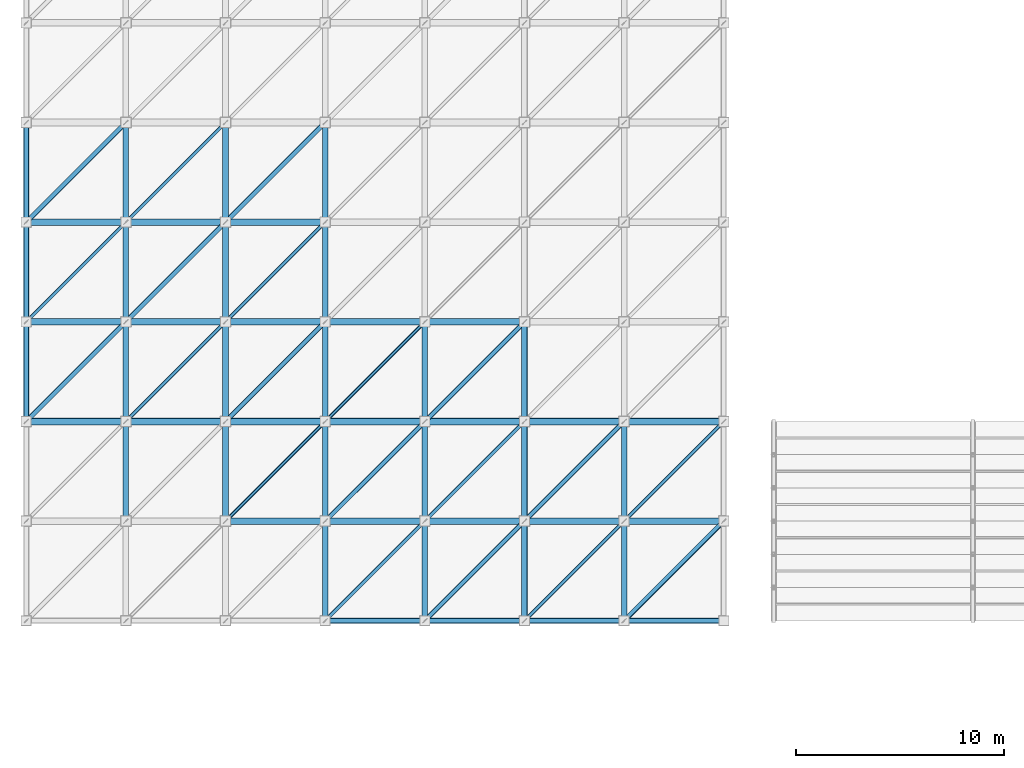
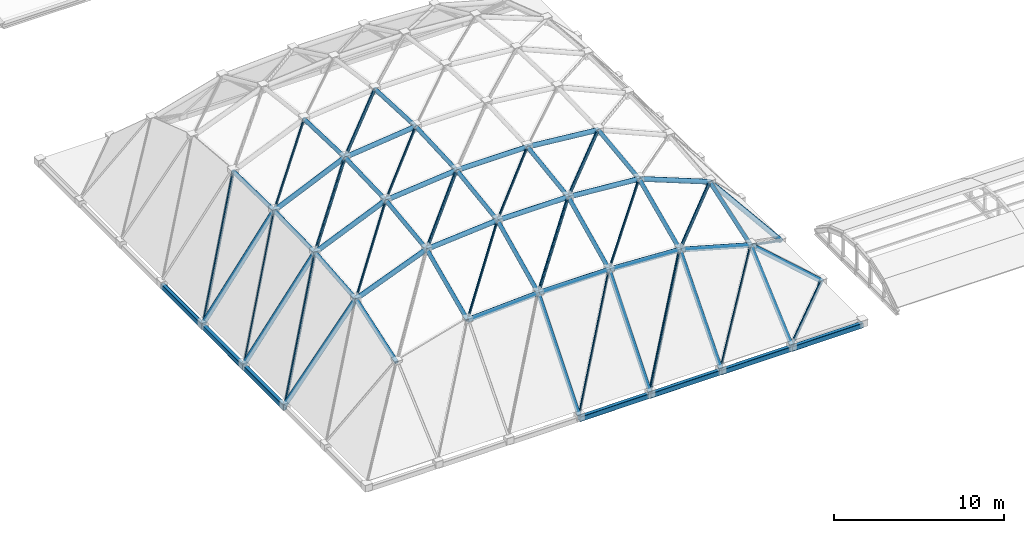
# One storey, part 2 of 70: 61 members, 7 beams.
"""IFC4 building model written with IfcOpenShell, lengths in metres."""

from ifc_helpers import new_model, si_unit, direction, frame, origin, origin_2d, place, context, subcontext, project, spatial, hollow_rectangle, hollow_circle, extrude, material, material_profile, profile_set, type_object, element, save


model = new_model("IFC4")

# Units and contexts
model_context = context("Model", 3, precision=1e-05, world=origin(), true_north=direction((0.0, 1.0)))
body_context = subcontext(model_context, "Body", "Model", "MODEL_VIEW")
ifc_project = project(units=[si_unit("LENGTHUNIT", "METRE"), si_unit("AREAUNIT", "SQUARE_METRE"), si_unit("VOLUMEUNIT", "CUBIC_METRE"), si_unit("PLANEANGLEUNIT", "RADIAN"), si_unit("MASSUNIT", "GRAM", prefix="KILO")], contexts=[model_context])

# Site, building, storey
site_placement = place(None, origin())
site = spatial("IfcSite", under=ifc_project, at=site_placement, CompositionType="ELEMENT")
building_placement = place(site_placement, origin())
building = spatial("IfcBuilding", under=site, at=building_placement, Name="Mavantir Sound Aquarium", CompositionType="ELEMENT")
storey_placement = place(building_placement, frame((0.0, 0.0, 27.0)))
storey = spatial("IfcBuildingStorey", under=building, at=storey_placement, Name="RF", CompositionType="ELEMENT", Elevation=27.0)

# Beams
ifc_material = material(Name="Hollow Structural Steel ASTM A500 GrC", Category="steel")
ifc_material_profile_1 = material_profile(ifc_material, hollow_rectangle(XDim=0.25, YDim=0.35009765625, WallThickness=0.012451171875, InnerFilletRadius=0.012451171875, OuterFilletRadius=0.02490234375, at=origin_2d()), Name="RHS 350X250X12.5")
ifc_profile_set_1 = profile_set([ifc_material_profile_1], Name="Hollow Structural Steel ASTM A500 GrC")
beam_type = type_object("IfcBeamType", Name="BM-RB-RHS350-E", PredefinedType="BEAM", material=ifc_profile_set_1)
for number, where, z_axis, x_axis, name in (
    (1, (14.39990234375, 40.800048828125, -7.419921875), (0.999991302772, 0.0, 0.004170656977), (0.0, 1.0, 0.0), "Gridshell perimeter ring beam RB-02 7"),
    (2, (19.199951171875, 40.800048828125, -7.419921875), (0.999991302772, 0.0, 0.004170656977), (0.0, 1.0, 0.0), "Gridshell perimeter ring beam RB-02 9"),
    (3, (24.0, 40.800048828125, -7.419921875), (0.999991302772, 0.0, 0.004170656977), (0.0, 1.0, 0.0), "Gridshell perimeter ring beam RB-02 11"),
    (4, (28.800048828125, 40.800048828125, -7.419921875), (0.999991302772, 0.0, 0.004170656977), (0.0, 1.0, 0.0), "Gridshell perimeter ring beam RB-02 13"),
    (5, (0.0, 50.39990234375, -7.419921875), (0.0, 0.999991302772, 0.004170656977), (-1.0, 0.0, 0.0), "Gridshell perimeter ring beam RB-02 19"),
    (6, (0.0, 55.199951171875, -7.419921875), (0.0, 0.999991302772, 0.004170656977), (-1.0, 0.0, 0.0), "Gridshell perimeter ring beam RB-02 21"),
    (7, (0.0, 60.0, -7.419921875), (0.0, 0.999991302772, 0.004170656977), (-1.0, 0.0, 0.0), "Gridshell perimeter ring beam RB-02 23"),
):
    element("IfcBeam", number, at=place(storey_placement, frame(where, z_axis=z_axis, x_axis=x_axis)), inside=storey, type_object=beam_type, Name=name, PredefinedType="BEAM", context=body_context, shape_type="SweptSolid", body=[
        extrude(hollow_rectangle(XDim=0.25, YDim=0.35009765625, WallThickness=0.012451171875, InnerFilletRadius=0.012451171875, OuterFilletRadius=0.02490234375, at=origin_2d()), origin(), (0.0, 0.0, 1.0), 4.800048828125),
    ])

# Members
ifc_material_profile_2 = material_profile(ifc_material, hollow_circle(Radius=0.084228515625, WallThickness=0.008056640625, at=origin_2d()), Name="CHS 168.3X8")
ifc_profile_set_2 = profile_set([ifc_material_profile_2], Name="Hollow Structural Steel ASTM A500 GrC")
member_type_1 = type_object("IfcMemberType", Name="MEM-GS-CH168", PredefinedType="BRACE", material=ifc_profile_set_2)
member_1_placement = place(storey_placement, frame((0.0, 55.199951171875, -7.199951171875), z_axis=(0.514631230673, 0.514631230673, 0.685791070832), x_axis=(-0.707106781187, 0.707106781187, 0.0)))
element("IfcMember", 8, at=member_1_placement, inside=storey, type_object=member_type_1, Name="Gridshell diagonal brace 4", PredefinedType="BRACE", context=body_context, shape_type="SweptSolid", body=[
    extrude(hollow_circle(Radius=0.084228515625, WallThickness=0.008056640625, at=origin_2d()), origin(), (0.0, 0.0, 1.0), 9.3271484375),
])
member_2_placement = place(storey_placement, frame((4.800048828125, 50.39990234375, -1.315673828125), z_axis=(0.663855806907, 0.663855806907, 0.344370346099), x_axis=(-0.707106781187, 0.707106781187, 0.0)))
element("IfcMember", 9, at=member_2_placement, inside=storey, type_object=member_type_1, Name="Gridshell diagonal brace 11", PredefinedType="BRACE", context=body_context, shape_type="SweptSolid", body=[
    extrude(hollow_circle(Radius=0.084228515625, WallThickness=0.008056640625, at=origin_2d()), origin(), (0.0, 0.0, 1.0), 7.23046875),
])
member_3_placement = place(storey_placement, frame((4.800048828125, 60.0, -0.803466796875), z_axis=(0.678879899321, 0.678879899321, 0.27972158407), x_axis=(-0.707106781187, 0.707106781187, 0.0)))
element("IfcMember", 10, at=member_3_placement, inside=storey, type_object=member_type_1, Name="Gridshell diagonal brace 13", PredefinedType="BRACE", context=body_context, shape_type="SweptSolid", body=[
    extrude(hollow_circle(Radius=0.084228515625, WallThickness=0.008056640625, at=origin_2d()), origin(), (0.0, 0.0, 1.0), 7.070556640625),
])
member_4_placement = place(storey_placement, frame((9.60009765625, 45.60009765625, -1.589111328125), z_axis=(0.661851900266, 0.661851900266, 0.352000176459), x_axis=(-0.707106781187, 0.707106781187, 0.0)))
element("IfcMember", 11, at=member_4_placement, inside=storey, type_object=member_type_1, Name="Gridshell diagonal brace 18", PredefinedType="BRACE", context=body_context, shape_type="SweptSolid", body=[
    extrude(hollow_circle(Radius=0.084228515625, WallThickness=0.008056640625, at=origin_2d()), origin(), (0.0, 0.0, 1.0), 7.252197265625),
])
member_5_placement = place(storey_placement, frame((9.60009765625, 55.199951171875, 1.17431640625), z_axis=(0.70342625465, 0.703462034215, 0.10164974514), x_axis=(-0.707124763888, 0.707088798028, 0.0)))
element("IfcMember", 12, at=member_5_placement, inside=storey, type_object=member_type_1, Name="Gridshell diagonal brace 20", PredefinedType="BRACE", context=body_context, shape_type="SweptSolid", body=[
    extrude(hollow_circle(Radius=0.084228515625, WallThickness=0.008056640625, at=origin_2d()), origin(), (0.0, 0.0, 1.0), 6.823486328125),
])
member_6_placement = place(storey_placement, frame((14.39990234375, 40.800048828125, -7.199951171875), z_axis=(0.535090722086, 0.535090722086, 0.653724589009), x_axis=(-0.707106781187, 0.707106781187, 0.0)))
element("IfcMember", 13, at=member_6_placement, inside=storey, type_object=member_type_1, Name="Gridshell diagonal brace 25", PredefinedType="BRACE", context=body_context, shape_type="SweptSolid", body=[
    extrude(hollow_circle(Radius=0.084228515625, WallThickness=0.008056640625, at=origin_2d()), origin(), (0.0, 0.0, 1.0), 8.970458984375),
])
member_7_placement = place(storey_placement, frame((14.39990234375, 50.39990234375, 0.963623046875), z_axis=(0.703596255032, 0.703596255032, 0.099521956424), x_axis=(-0.707106781187, 0.707106781187, 0.0)))
element("IfcMember", 14, at=member_7_placement, inside=storey, type_object=member_type_1, Name="Gridshell diagonal brace 27", PredefinedType="BRACE", context=body_context, shape_type="SweptSolid", body=[
    extrude(hollow_circle(Radius=0.084228515625, WallThickness=0.008056640625, at=origin_2d()), origin(), (0.0, 0.0, 1.0), 6.822265625),
])
member_8_placement = place(storey_placement, frame((19.199951171875, 45.60009765625, -1.335693359375), z_axis=(0.680649940833, 0.680615321539, 0.271069072617), x_axis=(-0.707088798028, 0.707124763888, 0.0)))
element("IfcMember", 15, at=member_8_placement, inside=storey, type_object=member_type_1, Name="Gridshell diagonal brace 34", PredefinedType="BRACE", context=body_context, shape_type="SweptSolid", body=[
    extrude(hollow_circle(Radius=0.084228515625, WallThickness=0.008056640625, at=origin_2d()), origin(), (0.0, 0.0, 1.0), 7.05224609375),
])
for number, where, z_axis, x_axis, name in (
    (16, (24.0, 40.800048828125, -7.199951171875), (0.598888802262, 0.598888802262, 0.531661927404), (-0.707106781187, 0.707106781187, 0.0), "Gridshell diagonal brace 41"),
    (17, (28.800048828125, 45.60009765625, -2.938720703125), (0.598899727573, 0.598869266268, -0.531671626319), (-0.707088798028, 0.707124763888, 0.0), "Gridshell diagonal brace 50"),
):
    element("IfcMember", number, at=place(storey_placement, frame(where, z_axis=z_axis, x_axis=x_axis)), inside=storey, type_object=member_type_1, Name=name, PredefinedType="BRACE", context=body_context, shape_type="SweptSolid", body=[
        extrude(hollow_circle(Radius=0.084228515625, WallThickness=0.008056640625, at=origin_2d()), origin(), (0.0, 0.0, 1.0), 8.014892578125),
    ])
ifc_material_profile_3 = material_profile(ifc_material, hollow_circle(Radius=0.109619140625, WallThickness=0.010009765625, at=origin_2d()), Name="CHS 219.1X10")
ifc_profile_set_3 = profile_set([ifc_material_profile_3], Name="Hollow Structural Steel ASTM A500 GrC")
member_type_2 = type_object("IfcMemberType", Name="MEM-GS-CH219", PredefinedType="BRACE", material=ifc_profile_set_3)
for number, where, z_axis, x_axis, name in (
    (18, (0.0, 50.39990234375, -7.199951171875), (0.517975495751, 0.517975495751, 0.680736932745), (-0.707106781187, 0.707106781187, 0.0), "Gridshell diagonal brace 3"),
    (19, (0.0, 60.0, -7.199951171875), (0.517975495751, 0.517975495751, 0.680736932745), (-0.707106781187, 0.707106781187, 0.0), "Gridshell diagonal brace 5"),
):
    element("IfcMember", number, at=place(storey_placement, frame(where, z_axis=z_axis, x_axis=x_axis)), inside=storey, type_object=member_type_2, Name=name, PredefinedType="BRACE", context=body_context, shape_type="SweptSolid", body=[
        extrude(hollow_circle(Radius=0.109619140625, WallThickness=0.010009765625, at=origin_2d()), origin(), (0.0, 0.0, 1.0), 9.266845703125),
    ])
member_9_placement = place(storey_placement, frame((4.800048828125, 55.199951171875, -0.8916015625), z_axis=(0.671909067511, 0.671909067511, 0.311570874752), x_axis=(-0.707106781187, 0.707106781187, 0.0)))
element("IfcMember", 20, at=member_9_placement, inside=storey, type_object=member_type_2, Name="Gridshell diagonal brace 12", PredefinedType="BRACE", context=body_context, shape_type="SweptSolid", body=[
    extrude(hollow_circle(Radius=0.109619140625, WallThickness=0.010009765625, at=origin_2d()), origin(), (0.0, 0.0, 1.0), 7.143798828125),
])
member_10_placement = place(storey_placement, frame((9.60009765625, 50.39990234375, 0.575927734375), z_axis=(0.698517707968, 0.698553237862, 0.155230105092), x_axis=(-0.707124763888, 0.707088798028, 0.0)))
element("IfcMember", 21, at=member_10_placement, inside=storey, type_object=member_type_2, Name="Gridshell diagonal brace 19", PredefinedType="BRACE", context=body_context, shape_type="SweptSolid", body=[
    extrude(hollow_circle(Radius=0.109619140625, WallThickness=0.010009765625, at=origin_2d()), origin(), (0.0, 0.0, 1.0), 6.871337890625),
])
member_11_placement = place(storey_placement, frame((9.60009765625, 60.0, 1.334228515625), z_axis=(0.706360414551, 0.706396343362, 0.045378087669), x_axis=(-0.707124763888, 0.707088798028, 0.0)))
element("IfcMember", 22, at=member_11_placement, inside=storey, type_object=member_type_2, Name="Gridshell diagonal brace 21", PredefinedType="BRACE", context=body_context, shape_type="SweptSolid", body=[
    extrude(hollow_circle(Radius=0.109619140625, WallThickness=0.010009765625, at=origin_2d()), origin(), (0.0, 0.0, 1.0), 6.795166015625),
])
member_12_placement = place(storey_placement, frame((14.39990234375, 45.60009765625, -1.335693359375), z_axis=(0.669745968035, 0.66971190334, 0.320821297338), x_axis=(-0.707088798028, 0.707124763888, 0.0)))
element("IfcMember", 23, at=member_12_placement, inside=storey, type_object=member_type_2, Name="Gridshell diagonal brace 26", PredefinedType="BRACE", context=body_context, shape_type="SweptSolid", body=[
    extrude(hollow_circle(Radius=0.109619140625, WallThickness=0.010009765625, at=origin_2d()), origin(), (0.0, 0.0, 1.0), 7.1669921875),
])
member_13_placement = place(storey_placement, frame((19.199951171875, 40.800048828125, -7.199951171875), z_axis=(0.545029317962, 0.545029317962, 0.637091896923), x_axis=(-0.707106781187, 0.707106781187, 0.0)))
element("IfcMember", 24, at=member_13_placement, inside=storey, type_object=member_type_2, Name="Gridshell diagonal brace 33", PredefinedType="BRACE", context=body_context, shape_type="SweptSolid", body=[
    extrude(hollow_circle(Radius=0.109619140625, WallThickness=0.010009765625, at=origin_2d()), origin(), (0.0, 0.0, 1.0), 8.806884765625),
])
member_14_placement = place(storey_placement, frame((19.199951171875, 50.39990234375, 0.963623046875), z_axis=(0.706766434322, 0.706766434322, 0.031022808241), x_axis=(-0.707106781187, 0.707106781187, 0.0)))
element("IfcMember", 25, at=member_14_placement, inside=storey, type_object=member_type_2, Name="Gridshell diagonal brace 35", PredefinedType="BRACE", context=body_context, shape_type="SweptSolid", body=[
    extrude(hollow_circle(Radius=0.109619140625, WallThickness=0.010009765625, at=origin_2d()), origin(), (0.0, 0.0, 1.0), 6.79150390625),
])
member_15_placement = place(storey_placement, frame((24.0, 45.60009765625, -1.589111328125), z_axis=(0.70655176358, 0.706515826865, 0.040249121368), x_axis=(-0.707088798028, 0.707124763888, 0.0)))
element("IfcMember", 26, at=member_15_placement, inside=storey, type_object=member_type_2, Name="Gridshell diagonal brace 42", PredefinedType="BRACE", context=body_context, shape_type="SweptSolid", body=[
    extrude(hollow_circle(Radius=0.109619140625, WallThickness=0.010009765625, at=origin_2d()), origin(), (0.0, 0.0, 1.0), 6.793701171875),
])
member_16_placement = place(storey_placement, frame((28.800048828125, 40.800048828125, -7.199951171875), z_axis=(0.707106781187, 0.707106781187, 0.0), x_axis=(-0.707106781187, 0.707106781187, 0.0)))
element("IfcMember", 27, at=member_16_placement, inside=storey, type_object=member_type_2, Name="Gridshell diagonal brace 49", PredefinedType="BRACE", context=body_context, shape_type="SweptSolid", body=[
    extrude(hollow_circle(Radius=0.109619140625, WallThickness=0.010009765625, at=origin_2d()), origin(), (0.0, 0.0, 1.0), 6.788330078125),
])
ifc_material_profile_4 = material_profile(ifc_material, hollow_circle(Radius=0.136474609375, WallThickness=0.010009765625, at=origin_2d()), Name="CHS 273X10")
ifc_profile_set_4 = profile_set([ifc_material_profile_4], Name="Hollow Structural Steel ASTM A500 GrC")
member_type_3 = type_object("IfcMemberType", Name="MEM-GS-CH273", PredefinedType="CHORD", material=ifc_profile_set_4)
member_17_placement = place(storey_placement, frame((4.800048828125, 45.60009765625, -2.938720703125), z_axis=(0.0, 0.947305977448, 0.320330118926), x_axis=(-1.0, 0.0, 0.0)))
element("IfcMember", 28, at=member_17_placement, inside=storey, type_object=member_type_3, Name="Roof truss gridshell meridional chord 51", PredefinedType="CHORD", context=body_context, shape_type="SweptSolid", body=[
    extrude(hollow_circle(Radius=0.136474609375, WallThickness=0.010009765625, at=origin_2d()), origin(), (0.0, 0.0, 1.0), 5.06689453125),
])
member_18_placement = place(storey_placement, frame((4.800048828125, 50.39990234375, -1.315673828125), z_axis=(0.0, 0.996120058811, 0.088004706889), x_axis=(-1.0, 0.0, 0.0)))
element("IfcMember", 29, at=member_18_placement, inside=storey, type_object=member_type_3, Name="Roof truss gridshell meridional chord 52", PredefinedType="CHORD", context=body_context, shape_type="SweptSolid", body=[
    extrude(hollow_circle(Radius=0.136474609375, WallThickness=0.010009765625, at=origin_2d()), origin(), (0.0, 0.0, 1.0), 4.81884765625),
])
for number, where, z_axis, x_axis, name in (
    (30, (4.800048828125, 55.199951171875, -0.8916015625), (0.0, 0.99983147536, 0.018358128407), (-1.0, 0.0, 0.0), "Roof truss gridshell meridional chord 53"),
    (31, (4.800048828125, 60.0, -0.803466796875), (0.0, 0.99983147536, -0.018358128407), (-1.0, 0.0, 0.0), "Roof truss gridshell meridional chord 54"),
):
    element("IfcMember", number, at=place(storey_placement, frame(where, z_axis=z_axis, x_axis=x_axis)), inside=storey, type_object=member_type_3, Name=name, PredefinedType="CHORD", context=body_context, shape_type="SweptSolid", body=[
        extrude(hollow_circle(Radius=0.136474609375, WallThickness=0.010009765625, at=origin_2d()), origin(), (0.0, 0.0, 1.0), 4.80078125),
    ])
member_19_placement = place(storey_placement, frame((9.60009765625, 45.60009765625, -1.589111328125), z_axis=(0.0, 0.911556772066, 0.411174234724), x_axis=(-1.0, 0.0, 0.0)))
element("IfcMember", 32, at=member_19_placement, inside=storey, type_object=member_type_3, Name="Roof truss gridshell meridional chord 59", PredefinedType="CHORD", context=body_context, shape_type="SweptSolid", body=[
    extrude(hollow_circle(Radius=0.136474609375, WallThickness=0.010009765625, at=origin_2d()), origin(), (0.0, 0.0, 1.0), 5.265380859375),
])
member_20_placement = place(storey_placement, frame((9.60009765625, 50.39990234375, 0.575927734375), z_axis=(0.0, 0.992318975731, 0.123705498678), x_axis=(-1.0, 0.0, 0.0)))
element("IfcMember", 33, at=member_20_placement, inside=storey, type_object=member_type_3, Name="Roof truss gridshell meridional chord 60", PredefinedType="CHORD", context=body_context, shape_type="SweptSolid", body=[
    extrude(hollow_circle(Radius=0.136474609375, WallThickness=0.010009765625, at=origin_2d()), origin(), (0.0, 0.0, 1.0), 4.837158203125),
])
for number, where, z_axis, x_axis, name in (
    (34, (9.60009765625, 55.199951171875, 1.17431640625), (0.0, 0.99944552742, 0.033296211813), (-1.0, 0.0, 0.0), "Roof truss gridshell meridional chord 61"),
    (35, (9.60009765625, 60.0, 1.334228515625), (0.0, 0.99944552742, -0.033296211813), (-1.0, 0.0, 0.0), "Roof truss gridshell meridional chord 62"),
):
    element("IfcMember", number, at=place(storey_placement, frame(where, z_axis=z_axis, x_axis=x_axis)), inside=storey, type_object=member_type_3, Name=name, PredefinedType="CHORD", context=body_context, shape_type="SweptSolid", body=[
        extrude(hollow_circle(Radius=0.136474609375, WallThickness=0.010009765625, at=origin_2d()), origin(), (0.0, 0.0, 1.0), 4.802734375),
    ])
member_21_placement = place(storey_placement, frame((14.39990234375, 40.800048828125, -7.199951171875), z_axis=(0.0, 0.633397421078, 0.773826664681), x_axis=(-1.0, 0.0, 0.0)))
element("IfcMember", 36, at=member_21_placement, inside=storey, type_object=member_type_3, Name="Roof truss gridshell meridional chord 66", PredefinedType="CHORD", context=body_context, shape_type="SweptSolid", body=[
    extrude(hollow_circle(Radius=0.136474609375, WallThickness=0.010009765625, at=origin_2d()), origin(), (0.0, 0.0, 1.0), 7.578369140625),
])
member_22_placement = place(storey_placement, frame((14.39990234375, 45.60009765625, -1.335693359375), z_axis=(0.0, 0.901859225286, 0.432030019519), x_axis=(-1.0, 0.0, 0.0)))
element("IfcMember", 37, at=member_22_placement, inside=storey, type_object=member_type_3, Name="Roof truss gridshell meridional chord 67", PredefinedType="CHORD", context=body_context, shape_type="SweptSolid", body=[
    extrude(hollow_circle(Radius=0.136474609375, WallThickness=0.010009765625, at=origin_2d()), origin(), (0.0, 0.0, 1.0), 5.322021484375),
])
member_23_placement = place(storey_placement, frame((14.39990234375, 50.39990234375, 0.963623046875), z_axis=(0.0, 0.990143948681, 0.14005342156), x_axis=(-1.0, 0.0, 0.0)))
element("IfcMember", 38, at=member_23_placement, inside=storey, type_object=member_type_3, Name="Roof truss gridshell meridional chord 68", PredefinedType="CHORD", context=body_context, shape_type="SweptSolid", body=[
    extrude(hollow_circle(Radius=0.136474609375, WallThickness=0.010009765625, at=origin_2d()), origin(), (0.0, 0.0, 1.0), 4.847900390625),
])
for number, where, z_axis, x_axis, name in (
    (39, (14.39990234375, 55.199951171875, 1.642578125), (0.0, 0.998899867316, 0.046894083594), (-1.0, 0.0, 0.0), "Roof truss gridshell meridional chord 69"),
    (40, (14.39990234375, 60.0, 1.867919921875), (0.0, 0.998899867316, -0.046894083594), (-1.0, 0.0, 0.0), "Roof truss gridshell meridional chord 70"),
):
    element("IfcMember", number, at=place(storey_placement, frame(where, z_axis=z_axis, x_axis=x_axis)), inside=storey, type_object=member_type_3, Name=name, PredefinedType="CHORD", context=body_context, shape_type="SweptSolid", body=[
        extrude(hollow_circle(Radius=0.136474609375, WallThickness=0.010009765625, at=origin_2d()), origin(), (0.0, 0.0, 1.0), 4.805419921875),
    ])
member_24_placement = place(storey_placement, frame((19.199951171875, 40.800048828125, -7.199951171875), z_axis=(0.0, 0.633397421078, 0.773826664681), x_axis=(-1.0, 0.0, 0.0)))
element("IfcMember", 41, at=member_24_placement, inside=storey, type_object=member_type_3, Name="Roof truss gridshell meridional chord 74", PredefinedType="CHORD", context=body_context, shape_type="SweptSolid", body=[
    extrude(hollow_circle(Radius=0.136474609375, WallThickness=0.010009765625, at=origin_2d()), origin(), (0.0, 0.0, 1.0), 7.578369140625),
])
member_25_placement = place(storey_placement, frame((19.199951171875, 45.60009765625, -1.335693359375), z_axis=(0.0, 0.901859225286, 0.432030019519), x_axis=(-1.0, 0.0, 0.0)))
element("IfcMember", 42, at=member_25_placement, inside=storey, type_object=member_type_3, Name="Roof truss gridshell meridional chord 75", PredefinedType="CHORD", context=body_context, shape_type="SweptSolid", body=[
    extrude(hollow_circle(Radius=0.136474609375, WallThickness=0.010009765625, at=origin_2d()), origin(), (0.0, 0.0, 1.0), 5.322021484375),
])
member_26_placement = place(storey_placement, frame((19.199951171875, 50.39990234375, 0.963623046875), z_axis=(0.0, 0.990143948681, 0.14005342156), x_axis=(-1.0, 0.0, 0.0)))
element("IfcMember", 43, at=member_26_placement, inside=storey, type_object=member_type_3, Name="Roof truss gridshell meridional chord 76", PredefinedType="CHORD", context=body_context, shape_type="SweptSolid", body=[
    extrude(hollow_circle(Radius=0.136474609375, WallThickness=0.010009765625, at=origin_2d()), origin(), (0.0, 0.0, 1.0), 4.847900390625),
])
member_27_placement = place(storey_placement, frame((24.0, 40.800048828125, -7.199951171875), z_axis=(0.0, 0.650069508377, 0.759874749073), x_axis=(-1.0, 0.0, 0.0)))
element("IfcMember", 44, at=member_27_placement, inside=storey, type_object=member_type_3, Name="Roof truss gridshell meridional chord 82", PredefinedType="CHORD", context=body_context, shape_type="SweptSolid", body=[
    extrude(hollow_circle(Radius=0.136474609375, WallThickness=0.010009765625, at=origin_2d()), origin(), (0.0, 0.0, 1.0), 7.3837890625),
])
member_28_placement = place(storey_placement, frame((24.0, 45.60009765625, -1.589111328125), z_axis=(0.0, 0.911556772066, 0.411174234724), x_axis=(-1.0, 0.0, 0.0)))
element("IfcMember", 45, at=member_28_placement, inside=storey, type_object=member_type_3, Name="Roof truss gridshell meridional chord 83", PredefinedType="CHORD", context=body_context, shape_type="SweptSolid", body=[
    extrude(hollow_circle(Radius=0.136474609375, WallThickness=0.010009765625, at=origin_2d()), origin(), (0.0, 0.0, 1.0), 5.265380859375),
])
member_29_placement = place(storey_placement, frame((24.0, 50.39990234375, 0.575927734375), z_axis=(0.0, 0.992318975731, 0.123705498678), x_axis=(-1.0, 0.0, 0.0)))
element("IfcMember", 46, at=member_29_placement, inside=storey, type_object=member_type_3, Name="Roof truss gridshell meridional chord 84", PredefinedType="CHORD", context=body_context, shape_type="SweptSolid", body=[
    extrude(hollow_circle(Radius=0.136474609375, WallThickness=0.010009765625, at=origin_2d()), origin(), (0.0, 0.0, 1.0), 4.837158203125),
])
member_30_placement = place(storey_placement, frame((28.800048828125, 40.800048828125, -7.199951171875), z_axis=(0.0, 0.747833075326, 0.663886806202), x_axis=(-1.0, 0.0, 0.0)))
element("IfcMember", 47, at=member_30_placement, inside=storey, type_object=member_type_3, Name="Roof truss gridshell meridional chord 90", PredefinedType="CHORD", context=body_context, shape_type="SweptSolid", body=[
    extrude(hollow_circle(Radius=0.136474609375, WallThickness=0.010009765625, at=origin_2d()), origin(), (0.0, 0.0, 1.0), 6.418701171875),
])
member_31_placement = place(storey_placement, frame((28.800048828125, 45.60009765625, -2.938720703125), z_axis=(0.0, 0.947305977448, 0.320330118926), x_axis=(-1.0, 0.0, 0.0)))
element("IfcMember", 48, at=member_31_placement, inside=storey, type_object=member_type_3, Name="Roof truss gridshell meridional chord 91", PredefinedType="CHORD", context=body_context, shape_type="SweptSolid", body=[
    extrude(hollow_circle(Radius=0.136474609375, WallThickness=0.010009765625, at=origin_2d()), origin(), (0.0, 0.0, 1.0), 5.06689453125),
])
ifc_material_profile_5 = material_profile(ifc_material, hollow_circle(Radius=0.161865234375, WallThickness=0.012451171875, at=origin_2d()), Name="CHS 323.9X12.5")
ifc_profile_set_5 = profile_set([ifc_material_profile_5], Name="Hollow Structural Steel ASTM A500 GrC")
member_type_4 = type_object("IfcMemberType", Name="MEM-GS-CH324", PredefinedType="CHORD", material=ifc_profile_set_5)
member_32_placement = place(storey_placement, frame((9.60009765625, 45.60009765625, -1.589111328125), z_axis=(0.998609116136, 0.0, 0.052724123222), x_axis=(0.0, 1.0, 0.0)))
element("IfcMember", 49, at=member_32_placement, inside=storey, type_object=member_type_4, Name="Roof truss gridshell longitudinal chord 3", PredefinedType="CHORD", context=body_context, shape_type="SweptSolid", body=[
    extrude(hollow_circle(Radius=0.161865234375, WallThickness=0.012451171875, at=origin_2d()), origin(), (0.0, 0.0, 1.0), 4.806396484375),
])
member_33_placement = place(storey_placement, frame((14.39990234375, 45.60009765625, -1.335693359375), z_axis=(1.0, 0.0, 0.0), x_axis=(0.0, 1.0, 0.0)))
element("IfcMember", 50, at=member_33_placement, inside=storey, type_object=member_type_4, Name="Roof truss gridshell longitudinal chord 4", PredefinedType="CHORD", context=body_context, shape_type="SweptSolid", body=[
    extrude(hollow_circle(Radius=0.161865234375, WallThickness=0.012451171875, at=origin_2d()), origin(), (0.0, 0.0, 1.0), 4.800048828125),
])
member_34_placement = place(storey_placement, frame((19.199951171875, 45.60009765625, -1.335693359375), z_axis=(0.998609257324, 0.0, -0.052721449016), x_axis=(0.0, 1.0, 0.0)))
element("IfcMember", 51, at=member_34_placement, inside=storey, type_object=member_type_4, Name="Roof truss gridshell longitudinal chord 5", PredefinedType="CHORD", context=body_context, shape_type="SweptSolid", body=[
    extrude(hollow_circle(Radius=0.161865234375, WallThickness=0.012451171875, at=origin_2d()), origin(), (0.0, 0.0, 1.0), 4.806640625),
])
member_35_placement = place(storey_placement, frame((24.0, 45.60009765625, -1.589111328125), z_axis=(0.962672073516, 0.0, -0.270670424821), x_axis=(0.0, 1.0, 0.0)))
element("IfcMember", 52, at=member_35_placement, inside=storey, type_object=member_type_4, Name="Roof truss gridshell longitudinal chord 6", PredefinedType="CHORD", context=body_context, shape_type="SweptSolid", body=[
    extrude(hollow_circle(Radius=0.161865234375, WallThickness=0.012451171875, at=origin_2d()), origin(), (0.0, 0.0, 1.0), 4.986083984375),
])
member_36_placement = place(storey_placement, frame((28.800048828125, 45.60009765625, -2.938720703125), z_axis=(0.747833075326, 0.0, -0.663886806202), x_axis=(0.0, 1.0, 0.0)))
element("IfcMember", 53, at=member_36_placement, inside=storey, type_object=member_type_4, Name="Roof truss gridshell longitudinal chord 7", PredefinedType="CHORD", context=body_context, shape_type="SweptSolid", body=[
    extrude(hollow_circle(Radius=0.161865234375, WallThickness=0.012451171875, at=origin_2d()), origin(), (0.0, 0.0, 1.0), 6.418701171875),
])
member_37_placement = place(storey_placement, frame((0.0, 50.39990234375, -7.199951171875), z_axis=(0.632104375827, 0.0, 0.774883254472), x_axis=(0.0, 1.0, 0.0)))
element("IfcMember", 54, at=member_37_placement, inside=storey, type_object=member_type_4, Name="Roof truss gridshell longitudinal chord 8", PredefinedType="CHORD", context=body_context, shape_type="SweptSolid", body=[
    extrude(hollow_circle(Radius=0.161865234375, WallThickness=0.012451171875, at=origin_2d()), origin(), (0.0, 0.0, 1.0), 7.59375),
])
member_38_placement = place(storey_placement, frame((4.800048828125, 50.39990234375, -1.315673828125), z_axis=(0.930363886848, 0.0, 0.366637474966), x_axis=(0.0, 1.0, 0.0)))
element("IfcMember", 55, at=member_38_placement, inside=storey, type_object=member_type_4, Name="Roof truss gridshell longitudinal chord 9", PredefinedType="CHORD", context=body_context, shape_type="SweptSolid", body=[
    extrude(hollow_circle(Radius=0.161865234375, WallThickness=0.012451171875, at=origin_2d()), origin(), (0.0, 0.0, 1.0), 5.159423828125),
])
member_39_placement = place(storey_placement, frame((9.60009765625, 50.39990234375, 0.575927734375), z_axis=(0.996753725793, 0.0, 0.080510931666), x_axis=(0.0, 1.0, 0.0)))
element("IfcMember", 56, at=member_39_placement, inside=storey, type_object=member_type_4, Name="Roof truss gridshell longitudinal chord 10", PredefinedType="CHORD", context=body_context, shape_type="SweptSolid", body=[
    extrude(hollow_circle(Radius=0.161865234375, WallThickness=0.012451171875, at=origin_2d()), origin(), (0.0, 0.0, 1.0), 4.8154296875),
])
member_40_placement = place(storey_placement, frame((14.39990234375, 50.39990234375, 0.963623046875), z_axis=(1.0, 0.0, 0.0), x_axis=(0.0, 1.0, 0.0)))
element("IfcMember", 57, at=member_40_placement, inside=storey, type_object=member_type_4, Name="Roof truss gridshell longitudinal chord 11", PredefinedType="CHORD", context=body_context, shape_type="SweptSolid", body=[
    extrude(hollow_circle(Radius=0.161865234375, WallThickness=0.012451171875, at=origin_2d()), origin(), (0.0, 0.0, 1.0), 4.800048828125),
])
member_41_placement = place(storey_placement, frame((19.199951171875, 50.39990234375, 0.963623046875), z_axis=(0.996754054403, 0.0, -0.080506863252), x_axis=(0.0, 1.0, 0.0)))
element("IfcMember", 58, at=member_41_placement, inside=storey, type_object=member_type_4, Name="Roof truss gridshell longitudinal chord 12", PredefinedType="CHORD", context=body_context, shape_type="SweptSolid", body=[
    extrude(hollow_circle(Radius=0.161865234375, WallThickness=0.012451171875, at=origin_2d()), origin(), (0.0, 0.0, 1.0), 4.815673828125),
])
member_42_placement = place(storey_placement, frame((24.0, 50.39990234375, 0.575927734375), z_axis=(0.930363886848, 0.0, -0.366637474966), x_axis=(0.0, 1.0, 0.0)))
element("IfcMember", 59, at=member_42_placement, inside=storey, type_object=member_type_4, Name="Roof truss gridshell longitudinal chord 13", PredefinedType="CHORD", context=body_context, shape_type="SweptSolid", body=[
    extrude(hollow_circle(Radius=0.161865234375, WallThickness=0.012451171875, at=origin_2d()), origin(), (0.0, 0.0, 1.0), 5.159423828125),
])
member_43_placement = place(storey_placement, frame((28.800048828125, 50.39990234375, -1.315673828125), z_axis=(0.632104375827, 0.0, -0.774883254472), x_axis=(0.0, 1.0, 0.0)))
element("IfcMember", 60, at=member_43_placement, inside=storey, type_object=member_type_4, Name="Roof truss gridshell longitudinal chord 14", PredefinedType="CHORD", context=body_context, shape_type="SweptSolid", body=[
    extrude(hollow_circle(Radius=0.161865234375, WallThickness=0.012451171875, at=origin_2d()), origin(), (0.0, 0.0, 1.0), 7.59375),
])
member_44_placement = place(storey_placement, frame((0.0, 55.199951171875, -7.199951171875), z_axis=(0.605539218427, 0.0, 0.795815465385), x_axis=(0.0, 1.0, 0.0)))
element("IfcMember", 61, at=member_44_placement, inside=storey, type_object=member_type_4, Name="Roof truss gridshell longitudinal chord 15", PredefinedType="CHORD", context=body_context, shape_type="SweptSolid", body=[
    extrude(hollow_circle(Radius=0.161865234375, WallThickness=0.012451171875, at=origin_2d()), origin(), (0.0, 0.0, 1.0), 7.927001953125),
])
member_45_placement = place(storey_placement, frame((4.800048828125, 55.199951171875, -0.8916015625), z_axis=(0.918537402152, 0.0, 0.395334087636), x_axis=(0.0, 1.0, 0.0)))
element("IfcMember", 62, at=member_45_placement, inside=storey, type_object=member_type_4, Name="Roof truss gridshell longitudinal chord 16", PredefinedType="CHORD", context=body_context, shape_type="SweptSolid", body=[
    extrude(hollow_circle(Radius=0.161865234375, WallThickness=0.012451171875, at=origin_2d()), origin(), (0.0, 0.0, 1.0), 5.225830078125),
])
member_46_placement = place(storey_placement, frame((9.60009765625, 55.199951171875, 1.17431640625), z_axis=(0.995274872576, 0.0, 0.097097518088), x_axis=(0.0, 1.0, 0.0)))
element("IfcMember", 63, at=member_46_placement, inside=storey, type_object=member_type_4, Name="Roof truss gridshell longitudinal chord 17", PredefinedType="CHORD", context=body_context, shape_type="SweptSolid", body=[
    extrude(hollow_circle(Radius=0.161865234375, WallThickness=0.012451171875, at=origin_2d()), origin(), (0.0, 0.0, 1.0), 4.822509765625),
])
member_47_placement = place(storey_placement, frame((14.39990234375, 55.199951171875, 1.642578125), z_axis=(1.0, 0.0, 0.0), x_axis=(0.0, 1.0, 0.0)))
element("IfcMember", 64, at=member_47_placement, inside=storey, type_object=member_type_4, Name="Roof truss gridshell longitudinal chord 18", PredefinedType="CHORD", context=body_context, shape_type="SweptSolid", body=[
    extrude(hollow_circle(Radius=0.161865234375, WallThickness=0.012451171875, at=origin_2d()), origin(), (0.0, 0.0, 1.0), 4.800048828125),
])
member_48_placement = place(storey_placement, frame((19.199951171875, 55.199951171875, 1.642578125), z_axis=(0.995275349823, 0.0, -0.09709262606), x_axis=(0.0, 1.0, 0.0)))
element("IfcMember", 65, at=member_48_placement, inside=storey, type_object=member_type_4, Name="Roof truss gridshell longitudinal chord 19", PredefinedType="CHORD", context=body_context, shape_type="SweptSolid", body=[
    extrude(hollow_circle(Radius=0.161865234375, WallThickness=0.012451171875, at=origin_2d()), origin(), (0.0, 0.0, 1.0), 4.82275390625),
])
member_49_placement = place(storey_placement, frame((0.0, 60.0, -7.199951171875), z_axis=(0.600214896861, 0.0, 0.799838782247), x_axis=(0.0, 1.0, 0.0)))
element("IfcMember", 66, at=member_49_placement, inside=storey, type_object=member_type_4, Name="Roof truss gridshell longitudinal chord 22", PredefinedType="CHORD", context=body_context, shape_type="SweptSolid", body=[
    extrude(hollow_circle(Radius=0.161865234375, WallThickness=0.012451171875, at=origin_2d()), origin(), (0.0, 0.0, 1.0), 7.997314453125),
])
member_50_placement = place(storey_placement, frame((4.800048828125, 60.0, -0.803466796875), z_axis=(0.913504729749, 0.0, 0.406828107099), x_axis=(0.0, 1.0, 0.0)))
element("IfcMember", 67, at=member_50_placement, inside=storey, type_object=member_type_4, Name="Roof truss gridshell longitudinal chord 23", PredefinedType="CHORD", context=body_context, shape_type="SweptSolid", body=[
    extrude(hollow_circle(Radius=0.161865234375, WallThickness=0.012451171875, at=origin_2d()), origin(), (0.0, 0.0, 1.0), 5.254638671875),
])
member_51_placement = place(storey_placement, frame((9.60009765625, 60.0, 1.334228515625), z_axis=(0.993875100611, 0.0, 0.110509204981), x_axis=(0.0, 1.0, 0.0)))
element("IfcMember", 68, at=member_51_placement, inside=storey, type_object=member_type_4, Name="Roof truss gridshell longitudinal chord 24", PredefinedType="CHORD", context=body_context, shape_type="SweptSolid", body=[
    extrude(hollow_circle(Radius=0.161865234375, WallThickness=0.012451171875, at=origin_2d()), origin(), (0.0, 0.0, 1.0), 4.829345703125),
])

save(model, "model.ifc")
